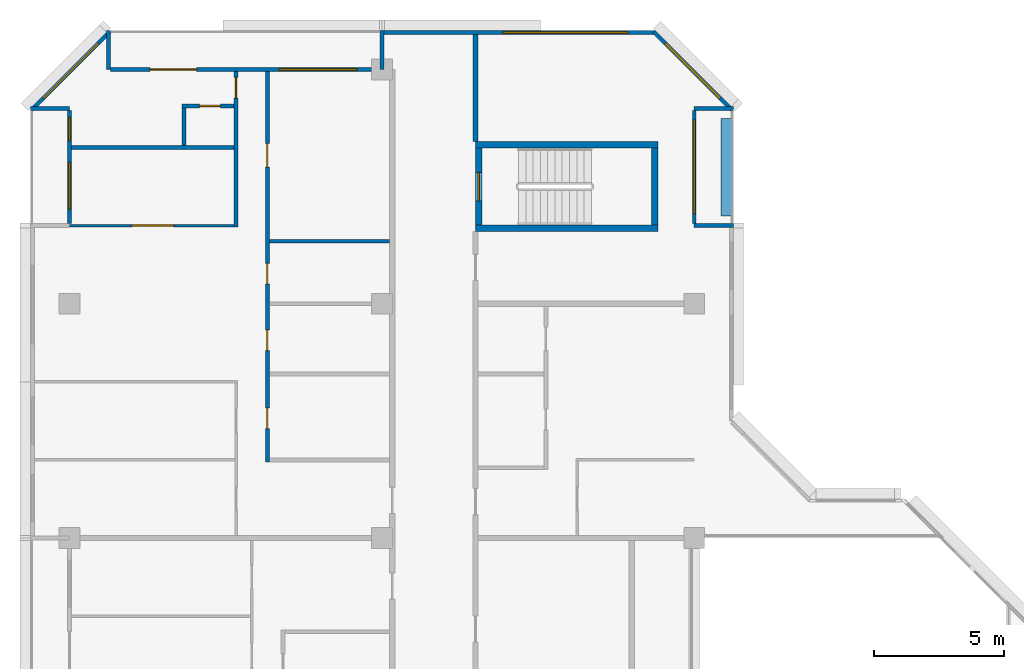
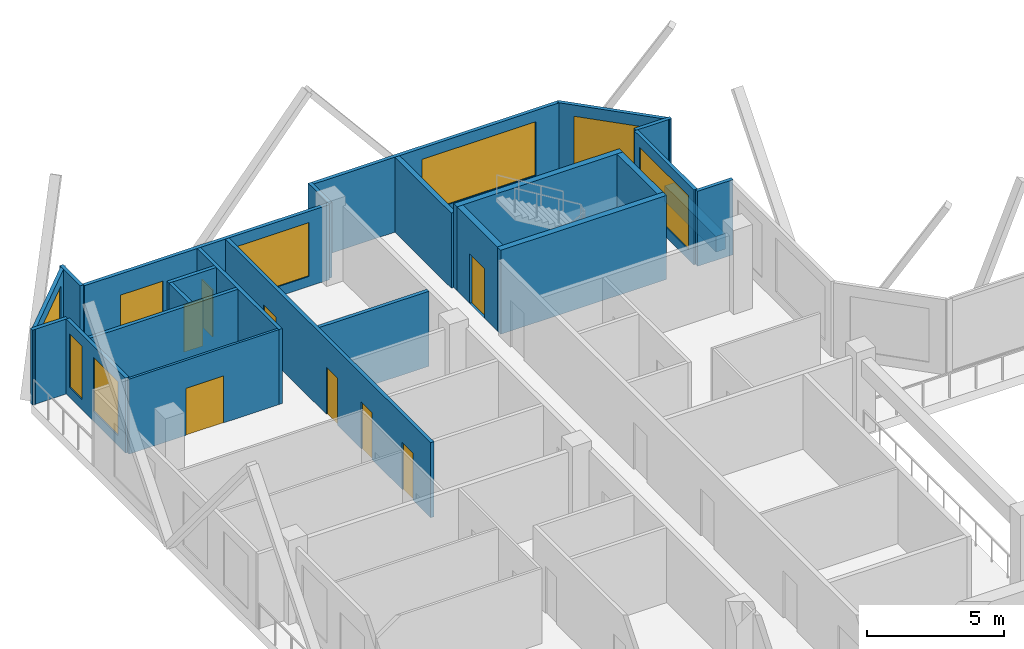
# One storey, part 10 of 13: 24 walls, 9 doors, 7 windows, 16 openings.
"""IFC4 building model written with IfcOpenShell, lengths in metres."""

from ifc_helpers import new_model, si_unit, direction, frame, frame_2d, origin, place, context, subcontext, project, spatial, rectangle, extrude, material, layer, layer_set, type_object, element, fill, save


model = new_model("IFC4")

# Units and contexts
model_context = context("Model", 3, precision=1e-05, world=origin(), true_north=direction((0.0, 1.0)))
body_context = subcontext(model_context, "Body", "Model", "MODEL_VIEW")
ifc_project = project(units=[si_unit("LENGTHUNIT", "METRE"), si_unit("AREAUNIT", "SQUARE_METRE"), si_unit("VOLUMEUNIT", "CUBIC_METRE"), si_unit("PLANEANGLEUNIT", "RADIAN"), si_unit("MASSUNIT", "GRAM", prefix="KILO")], contexts=[model_context])

# Site, building, storey
site_placement = place(None, origin())
site = spatial("IfcSite", under=ifc_project, at=site_placement, CompositionType="ELEMENT")
building_placement = place(site_placement, origin())
building = spatial("IfcBuilding", under=site, at=building_placement, Name="Chenar Terraces", CompositionType="ELEMENT")
storey_placement = place(building_placement, frame((0.0, 0.0, 273.39990234375)))
storey = spatial("IfcBuildingStorey", under=building, at=storey_placement, Name="L63", CompositionType="ELEMENT", Elevation=273.39990234375)

# Walls
ifc_material_1 = material(Name="Concrete C50/60", Category="concrete")
ifc_layer_1 = layer(ifc_material_1, 0.25)
ifc_layer_set_1 = layer_set([ifc_layer_1], Name="Concrete C50/60")
wall_type_1 = type_object("IfcWallType", Name="Core wall 250 Concrete C50/60", PredefinedType="SHEAR", material=ifc_layer_set_1)
for number, where, z_axis, x_axis, name in (
    (1, (15.60009765625, 47.89990234375, 0.0), (0.0, 0.0, 1.0), (1.0, 0.0, 0.0), "Core wall ST4_S L63"),
    (2, (15.60009765625, 51.10009765625, 0.0), (0.0, 0.0, 1.0), (1.0, 0.0, 0.0), "Core wall ST4_N L63"),
):
    element("IfcWall", number, at=place(storey_placement, frame(where, z_axis=z_axis, x_axis=x_axis)), inside=storey, type_object=wall_type_1, Name=name, PredefinedType="SHEAR", context=body_context, shape_type="SweptSolid", body=[
        extrude(rectangle(XDim=7.0, YDim=0.25, at=frame_2d((3.5, 0.0))), origin(), (0.0, 0.0, 1.0), 3.75),
    ])

# Wall, opening, door
wall_1_placement = place(storey_placement, frame((15.72509765625, 48.02490234375, 0.0), z_axis=(0.0, 0.0, 1.0), x_axis=(0.0, 1.0, 0.0)))
wall_1 = element("IfcWall", 3, at=wall_1_placement, inside=storey, type_object=wall_type_1, Name="Core wall ST4_W L63", PredefinedType="SHEAR", context=body_context, shape_type="SweptSolid", body=[
    extrude(rectangle(XDim=2.9501953125, YDim=0.25, at=frame_2d((1.47509765625, 0.0))), origin(), (0.0, 0.0, 1.0), 3.75),
])
opening_1_placement = place(wall_1_placement, frame((0.925048828125, 0.0, 0.0)))
opening_1 = element("IfcOpeningElement", 4, at=opening_1_placement, cuts=wall_1, Name="Opening DL63-C9", PredefinedType="OPENING", context=body_context, shape_type="SweptSolid", body=[
    extrude(rectangle(XDim=1.10009765625, YDim=2.199951171875, at=frame_2d((0.550048828125, 1.10009765625))), frame((0.0, 0.135009765625, 0.0), z_axis=(0.0, -1.0, 0.0), x_axis=(1.0, 0.0, 0.0)), (0.0, 0.0, 1.0), 0.27001953125),
])
ifc_material_2 = material(Name="Steel-framed fire-resisting door leaf", Category="steel")
door_type_1 = type_object("IfcDoorType", Name="Stair fire door FD60 1100 x 2200", OperationType="SINGLE_SWING_LEFT", PredefinedType="DOOR", material=ifc_material_2)
door_1_placement = place(opening_1_placement, frame((1.10009765625, 0.0, 0.0), z_axis=(0.0, 0.0, 1.0), x_axis=(-1.0, 0.0, 0.0)))
door_1 = element("IfcDoor", 5, at=door_1_placement, inside=storey, type_object=door_type_1, Name="Stair door DL63-C9", OperationType="SINGLE_SWING_RIGHT", OverallHeight=2.199951171875, OverallWidth=1.10009765625, PredefinedType="DOOR", context=body_context, shape_type="SweptSolid", body=[
    extrude(rectangle(XDim=1.10009765625, YDim=2.199951171875, at=frame_2d((0.550048828125, 1.10009765625))), frame((0.0, 0.02490234375, 0.0), z_axis=(0.0, -1.0, 0.0), x_axis=(1.0, 0.0, 0.0)), (0.0, 0.0, 1.0), 0.050048828125),
])
fill(opening_1, door_1)

# Walls
wall_2_placement = place(storey_placement, frame((22.47509765625, 48.02490234375, 0.0), z_axis=(0.0, 0.0, 1.0), x_axis=(0.0, 1.0, 0.0)))
element("IfcWall", 6, at=wall_2_placement, inside=storey, type_object=wall_type_1, Name="Core wall ST4_E L63", PredefinedType="SHEAR", context=body_context, shape_type="SweptSolid", body=[
    extrude(rectangle(XDim=2.9501953125, YDim=0.25, at=frame_2d((1.47509765625, 0.0))), origin(), (0.0, 0.0, 1.0), 3.75),
])
ifc_material_3 = material(Name="Gypsum board on steel studs with fire boards", Category="steel")
ifc_layer_2 = layer(ifc_material_3, 0.199951171875)
ifc_layer_set_2 = layer_set([ifc_layer_2], Name="Gypsum board on steel studs with fire boards")
wall_type_2 = type_object("IfcWallType", Name="Corridor wall 200", PredefinedType="PARTITIONING", material=ifc_layer_set_2)
wall_3_placement = place(storey_placement, frame((15.60009765625, 51.22509765625, 0.0), z_axis=(0.0, 0.0, 1.0), x_axis=(0.0, 1.0, 0.0)))
element("IfcWall", 7, at=wall_3_placement, inside=storey, type_object=wall_type_2, Name="Partition L63-031", PredefinedType="PARTITIONING", context=body_context, shape_type="SweptSolid", body=[
    extrude(rectangle(XDim=4.125, YDim=0.199951171875, at=frame_2d((2.0625, 0.0))), origin(), (0.0, 0.0, 1.0), 3.35009765625),
])

# Wall, opening, window
ifc_material_4 = material(Name="Aluminium framed glazing", Category="aluminium")
ifc_layer_3 = layer(ifc_material_4, 0.14990234375)
ifc_layer_set_3 = layer_set([ifc_layer_3], Name="Aluminium framed glazing")
wall_type_3 = type_object("IfcWallType", Name="Glazed flush facade wall 150", PredefinedType="SOLIDWALL", material=ifc_layer_set_3)
wall_4_placement = place(storey_placement, frame((22.5, 55.425048828125, 0.0), z_axis=(0.0, 0.0, 1.0), x_axis=(-1.0, 0.0, 0.0)))
wall_4 = element("IfcWall", 8, at=wall_4_placement, inside=storey, type_object=wall_type_3, Name="Glazed flush facade wall", PredefinedType="SOLIDWALL", context=body_context, shape_type="SweptSolid", body=[
    extrude(rectangle(XDim=10.425048828125, YDim=0.14990234375, at=frame_2d((5.21240234375, 0.0))), origin(), (0.0, 0.0, 1.0), 3.35009765625),
])
opening_2_placement = place(wall_4_placement, frame((1.050048828125, 0.0, 0.449951171875)))
opening_2 = element("IfcOpeningElement", 9, at=opening_2_placement, cuts=wall_4, Name="Opening W480x240", PredefinedType="OPENING", context=body_context, shape_type="SweptSolid", body=[
    extrude(rectangle(XDim=4.800048828125, YDim=2.39990234375, at=frame_2d((2.39990234375, 1.199951171875))), frame((0.0, 0.0849609375, 0.0), z_axis=(0.0, -1.0, 0.0), x_axis=(1.0, 0.0, 0.0)), (0.0, 0.0, 1.0), 0.169921875),
])
ifc_material_5 = material(Name="Low emissivity double glazing, aluminium frame", Category="aluminium")
window_type_1 = type_object("IfcWindowType", Name="Fixed light 4800 x 2400", PartitioningType="SINGLE_PANEL", PredefinedType="WINDOW", material=ifc_material_5)
window_1_placement = place(opening_2_placement, origin())
window_1 = element("IfcWindow", 10, at=window_1_placement, inside=storey, type_object=window_type_1, Name="Window", OverallHeight=2.39990234375, OverallWidth=4.800048828125, PartitioningType="SINGLE_PANEL", PredefinedType="WINDOW", context=body_context, shape_type="SweptSolid", body=[
    extrude(rectangle(XDim=4.800048828125, YDim=2.39990234375, at=frame_2d((2.39990234375, 1.199951171875))), frame((0.0, 0.030029296875, 0.0), z_axis=(0.0, -1.0, 0.0), x_axis=(1.0, 0.0, 0.0)), (0.0, 0.0, 1.0), 0.06005859375),
])
fill(opening_2, window_1)

ifc_material_6 = material(Name="Aluminium framed glazing", Category="aluminium")
ifc_layer_4 = layer(ifc_material_6, 0.14990234375)
ifc_layer_set_4 = layer_set([ifc_layer_4], Name="Aluminium framed glazing")
wall_type_4 = type_object("IfcWallType", Name="Glazed loggia back wall 150", PredefinedType="SOLIDWALL", material=ifc_layer_set_4)
wall_5_placement = place(storey_placement, frame((24.0, 48.074951171875, 0.0), z_axis=(0.0, 0.0, 1.0), x_axis=(0.0, 1.0, 0.0)))
wall_5 = element("IfcWall", 11, at=wall_5_placement, inside=storey, type_object=wall_type_4, Name="Glazed loggia back wall", PredefinedType="SOLIDWALL", context=body_context, shape_type="SweptSolid", body=[
    extrude(rectangle(XDim=4.35009765625, YDim=0.14990234375, at=frame_2d((2.175048828125, 0.0))), origin(), (0.0, 0.0, 1.0), 3.35009765625),
])
opening_3_placement = place(wall_5_placement, frame((0.375, 0.0, 0.449951171875)))
opening_3 = element("IfcOpeningElement", 12, at=opening_3_placement, cuts=wall_5, Name="Opening W360x240", PredefinedType="OPENING", context=body_context, shape_type="SweptSolid", body=[
    extrude(rectangle(XDim=3.60009765625, YDim=2.39990234375, at=frame_2d((1.800048828125, 1.199951171875))), frame((0.0, 0.0849609375, 0.0), z_axis=(0.0, -1.0, 0.0), x_axis=(1.0, 0.0, 0.0)), (0.0, 0.0, 1.0), 0.169921875),
])
ifc_material_7 = material(Name="Low emissivity double glazing, aluminium frame", Category="aluminium")
window_type_2 = type_object("IfcWindowType", Name="Fixed light 3600 x 2400", PartitioningType="SINGLE_PANEL", PredefinedType="WINDOW", material=ifc_material_7)
window_2_placement = place(opening_3_placement, origin())
window_2 = element("IfcWindow", 13, at=window_2_placement, inside=storey, type_object=window_type_2, Name="Window", OverallHeight=2.39990234375, OverallWidth=3.60009765625, PartitioningType="SINGLE_PANEL", PredefinedType="WINDOW", context=body_context, shape_type="SweptSolid", body=[
    extrude(rectangle(XDim=3.60009765625, YDim=2.39990234375, at=frame_2d((1.800048828125, 1.199951171875))), frame((0.0, 0.030029296875, 0.0), z_axis=(0.0, -1.0, 0.0), x_axis=(1.0, 0.0, 0.0)), (0.0, 0.0, 1.0), 0.06005859375),
])
fill(opening_3, window_2)

# Wall, openings, window, door
wall_6_placement = place(storey_placement, frame((11.925048828125, 54.0, 0.0), z_axis=(0.0, 0.0, 1.0), x_axis=(-1.0, 0.0, 0.0)))
wall_6 = element("IfcWall", 14, at=wall_6_placement, inside=storey, type_object=wall_type_4, Name="Glazed loggia back wall", PredefinedType="SOLIDWALL", context=body_context, shape_type="SweptSolid", body=[
    extrude(rectangle(XDim=10.35009765625, YDim=0.14990234375, at=frame_2d((5.175048828125, 0.0))), origin(), (0.0, 0.0, 1.0), 3.35009765625),
])
opening_4_placement = place(wall_6_placement, frame((0.875, 0.0, 0.449951171875)))
opening_4 = element("IfcOpeningElement", 15, at=opening_4_placement, cuts=wall_6, Name="Opening W300x240", PredefinedType="OPENING", context=body_context, shape_type="SweptSolid", body=[
    extrude(rectangle(XDim=3.0, YDim=2.39990234375, at=frame_2d((1.5, 1.199951171875))), frame((0.0, 0.0849609375, 0.0), z_axis=(0.0, -1.0, 0.0), x_axis=(1.0, 0.0, 0.0)), (0.0, 0.0, 1.0), 0.169921875),
])
opening_5_placement = place(wall_6_placement, frame((7.03759765625, 0.0, 0.0)))
opening_5 = element("IfcOpeningElement", 16, at=opening_5_placement, cuts=wall_6, Name="Opening DL63-G2", PredefinedType="OPENING", context=body_context, shape_type="SweptSolid", body=[
    extrude(rectangle(XDim=1.800048828125, YDim=2.39990234375, at=frame_2d((0.89990234375, 1.199951171875))), frame((0.0, 0.0849609375, 0.0), z_axis=(0.0, -1.0, 0.0), x_axis=(1.0, 0.0, 0.0)), (0.0, 0.0, 1.0), 0.169921875),
])
ifc_material_8 = material(Name="Low emissivity double glazing, aluminium frame", Category="aluminium")
window_type_3 = type_object("IfcWindowType", Name="Fixed light 3000 x 2400", PartitioningType="SINGLE_PANEL", PredefinedType="WINDOW", material=ifc_material_8)
window_3_placement = place(opening_4_placement, origin())
window_3 = element("IfcWindow", 17, at=window_3_placement, inside=storey, type_object=window_type_3, Name="Window", OverallHeight=2.39990234375, OverallWidth=3.0, PartitioningType="SINGLE_PANEL", PredefinedType="WINDOW", context=body_context, shape_type="SweptSolid", body=[
    extrude(rectangle(XDim=3.0, YDim=2.39990234375, at=frame_2d((1.5, 1.199951171875))), frame((0.0, 0.030029296875, 0.0), z_axis=(0.0, -1.0, 0.0), x_axis=(1.0, 0.0, 0.0)), (0.0, 0.0, 1.0), 0.06005859375),
])
fill(opening_4, window_3)
ifc_material_9 = material(Name="Low emissivity double glazing, aluminium frame", Category="aluminium")
door_type_2 = type_object("IfcDoorType", Name="Loggia glazed double door 1800 x 2400", OperationType="DOUBLE_DOOR_SINGLE_SWING", PredefinedType="DOOR", material=ifc_material_9)
door_2_placement = place(opening_5_placement, frame((1.800048828125, 0.0, 0.0), z_axis=(0.0, 0.0, 1.0), x_axis=(-1.0, 0.0, 0.0)))
door_2 = element("IfcDoor", 18, at=door_2_placement, inside=storey, type_object=door_type_2, Name="Loggia glazed door", OperationType="DOUBLE_DOOR_SINGLE_SWING", OverallHeight=2.39990234375, OverallWidth=1.800048828125, PredefinedType="DOOR", context=body_context, shape_type="SweptSolid", body=[
    extrude(rectangle(XDim=1.800048828125, YDim=2.39990234375, at=frame_2d((0.89990234375, 1.199951171875))), frame((0.0, 0.02490234375, 0.0), z_axis=(0.0, -1.0, 0.0), x_axis=(1.0, 0.0, 0.0)), (0.0, 0.0, 1.0), 0.050048828125),
])
fill(opening_5, door_2)

# Wall, openings, windows
wall_7_placement = place(storey_placement, frame((0.0, 52.425048828125, 0.0), z_axis=(0.0, 0.0, 1.0), x_axis=(0.0, -1.0, 0.0)))
wall_7 = element("IfcWall", 19, at=wall_7_placement, inside=storey, type_object=wall_type_4, Name="Glazed loggia back wall", PredefinedType="SOLIDWALL", context=body_context, shape_type="SweptSolid", body=[
    extrude(rectangle(XDim=4.35009765625, YDim=0.14990234375, at=frame_2d((2.175048828125, 0.0))), origin(), (0.0, 0.0, 1.0), 3.35009765625),
])
opening_6_placement = place(wall_7_placement, frame((0.262451171875, 0.0, 0.449951171875)))
opening_6 = element("IfcOpeningElement", 20, at=opening_6_placement, cuts=wall_7, Name="Opening W90x240", PredefinedType="OPENING", context=body_context, shape_type="SweptSolid", body=[
    extrude(rectangle(XDim=0.89990234375, YDim=2.39990234375, at=frame_2d((0.449951171875, 1.199951171875))), frame((0.0, 0.0849609375, 0.0), z_axis=(0.0, -1.0, 0.0), x_axis=(1.0, 0.0, 0.0)), (0.0, 0.0, 1.0), 0.169921875),
])
opening_7_placement = place(wall_7_placement, frame((1.987548828125, 0.0, 0.449951171875)))
opening_7 = element("IfcOpeningElement", 21, at=opening_7_placement, cuts=wall_7, Name="Opening W180x240", PredefinedType="OPENING", context=body_context, shape_type="SweptSolid", body=[
    extrude(rectangle(XDim=1.800048828125, YDim=2.39990234375, at=frame_2d((0.89990234375, 1.199951171875))), frame((0.0, 0.0849609375, 0.0), z_axis=(0.0, -1.0, 0.0), x_axis=(1.0, 0.0, 0.0)), (0.0, 0.0, 1.0), 0.169921875),
])
ifc_material_10 = material(Name="Low emissivity double glazing, aluminium frame", Category="aluminium")
window_type_4 = type_object("IfcWindowType", Name="Fixed light 1800 x 2400", PartitioningType="SINGLE_PANEL", PredefinedType="WINDOW", material=ifc_material_10)
window_4_placement = place(opening_7_placement, origin())
window_4 = element("IfcWindow", 22, at=window_4_placement, inside=storey, type_object=window_type_4, Name="Window", OverallHeight=2.39990234375, OverallWidth=1.800048828125, PartitioningType="SINGLE_PANEL", PredefinedType="WINDOW", context=body_context, shape_type="SweptSolid", body=[
    extrude(rectangle(XDim=1.800048828125, YDim=2.39990234375, at=frame_2d((0.89990234375, 1.199951171875))), frame((0.0, 0.030029296875, 0.0), z_axis=(0.0, -1.0, 0.0), x_axis=(1.0, 0.0, 0.0)), (0.0, 0.0, 1.0), 0.06005859375),
])
fill(opening_7, window_4)
ifc_material_11 = material(Name="Low emissivity double glazing, aluminium frame", Category="aluminium")
window_type_5 = type_object("IfcWindowType", Name="Fixed light 900 x 2400", PartitioningType="SINGLE_PANEL", PredefinedType="WINDOW", material=ifc_material_11)
window_5_placement = place(opening_6_placement, origin())
window_5 = element("IfcWindow", 23, at=window_5_placement, inside=storey, type_object=window_type_5, Name="Window", OverallHeight=2.39990234375, OverallWidth=0.89990234375, PartitioningType="SINGLE_PANEL", PredefinedType="WINDOW", context=body_context, shape_type="SweptSolid", body=[
    extrude(rectangle(XDim=0.89990234375, YDim=2.39990234375, at=frame_2d((0.449951171875, 1.199951171875))), frame((0.0, 0.030029296875, 0.0), z_axis=(0.0, -1.0, 0.0), x_axis=(1.0, 0.0, 0.0)), (0.0, 0.0, 1.0), 0.06005859375),
])
fill(opening_6, window_5)

# Wall, opening, door
ifc_material_12 = material(Name="Gypsum board on steel studs", Category="steel")
ifc_layer_5 = layer(ifc_material_12, 0.10009765625)
ifc_layer_set_5 = layer_set([ifc_layer_5], Name="Gypsum board on steel studs")
wall_type_5 = type_object("IfcWallType", Name="Gypsum partition 100", PredefinedType="PARTITIONING", material=ifc_layer_set_5)
wall_8_placement = place(storey_placement, frame((0.0, 48.0, 0.0), z_axis=(0.0, 0.0, 1.0), x_axis=(1.0, 0.0, 0.0)))
wall_8 = element("IfcWall", 24, at=wall_8_placement, inside=storey, type_object=wall_type_5, Name="Partition L63-006", PredefinedType="PARTITIONING", context=body_context, shape_type="SweptSolid", body=[
    extrude(rectangle(XDim=6.324951171875, YDim=0.10009765625, at=frame_2d((3.16259765625, 0.0))), origin(), (0.0, 0.0, 1.0), 3.35009765625),
])
opening_8_placement = place(wall_8_placement, frame((2.39990234375, 0.0, 0.0)))
opening_8 = element("IfcOpeningElement", 25, at=opening_8_placement, cuts=wall_8, Name="Opening DL63-26", PredefinedType="OPENING", context=body_context, shape_type="SweptSolid", body=[
    extrude(rectangle(XDim=1.60009765625, YDim=2.10009765625, at=frame_2d((0.800048828125, 1.050048828125))), frame((0.0, 0.06005859375, 0.0), z_axis=(0.0, -1.0, 0.0), x_axis=(1.0, 0.0, 0.0)), (0.0, 0.0, 1.0), 0.1201171875),
])
ifc_material_13 = material(Name="Veneered timber door leaf", Category="wood")
door_type_3 = type_object("IfcDoorType", Name="Double door 1600 x 2100", OperationType="DOUBLE_DOOR_SINGLE_SWING", PredefinedType="DOOR", material=ifc_material_13)
door_3_placement = place(opening_8_placement, origin())
door_3 = element("IfcDoor", 26, at=door_3_placement, inside=storey, type_object=door_type_3, Name="Door DL63-26", OperationType="DOUBLE_DOOR_SINGLE_SWING", OverallHeight=2.10009765625, OverallWidth=1.60009765625, PredefinedType="DOOR", context=body_context, shape_type="SweptSolid", body=[
    extrude(rectangle(XDim=1.60009765625, YDim=2.10009765625, at=frame_2d((0.800048828125, 1.050048828125))), frame((0.0, 0.02490234375, 0.0), z_axis=(0.0, -1.0, 0.0), x_axis=(1.0, 0.0, 0.0)), (0.0, 0.0, 1.0), 0.050048828125),
])
fill(opening_8, door_3)

# Walls
ifc_material_14 = material(Name="Terracotta cladding on insulated backing", Category="masonry")
ifc_layer_6 = layer(ifc_material_14, 0.14990234375)
ifc_layer_set_6 = layer_set([ifc_layer_6], Name="Terracotta cladding on insulated backing")
wall_type_6 = type_object("IfcWallType", Name="Loggia return wall 150", PredefinedType="SOLIDWALL", material=ifc_layer_set_6)
for number, where, z_axis, x_axis, name in (
    (27, (25.5, 48.0, 0.0), (0.0, 0.0, 1.0), (-1.0, 0.0, 0.0), "Loggia return wall"),
    (28, (25.5, 52.5, 0.0), (0.0, 0.0, 1.0), (-1.0, 0.0, 0.0), "Loggia return wall"),
    (29, (12.0, 55.5, 0.0), (0.0, 0.0, 1.0), (0.0, -1.0, 0.0), "Loggia return wall"),
    (30, (1.5, 55.5, 0.0), (0.0, 0.0, 1.0), (0.0, -1.0, 0.0), "Loggia return wall"),
    (31, (-1.5, 52.5, 0.0), (0.0, 0.0, 1.0), (1.0, 0.0, 0.0), "Loggia return wall"),
):
    element("IfcWall", number, at=place(storey_placement, frame(where, z_axis=z_axis, x_axis=x_axis)), inside=storey, type_object=wall_type_6, Name=name, PredefinedType="SOLIDWALL", context=body_context, shape_type="SweptSolid", body=[
        extrude(rectangle(XDim=1.5, YDim=0.14990234375, at=frame_2d((0.75, 0.0))), origin(), (0.0, 0.0, 1.0), 3.35009765625),
    ])

# Wall, opening, window
ifc_material_15 = material(Name="Terracotta cladding on insulated backing", Category="masonry")
ifc_layer_7 = layer(ifc_material_15, 0.14990234375)
ifc_layer_set_7 = layer_set([ifc_layer_7], Name="Terracotta cladding on insulated backing")
wall_type_7 = type_object("IfcWallType", Name="Terracotta rainscreen wall 150", PredefinedType="SOLIDWALL", material=ifc_layer_set_7)
wall_9_placement = place(storey_placement, frame((25.447021484375, 52.447021484375, 0.0), z_axis=(0.0, 0.0, 1.0), x_axis=(-0.707106781187, 0.707106781187, 0.0)))
wall_9 = element("IfcWall", 32, at=wall_9_placement, inside=storey, type_object=wall_type_7, Name="Terracotta rainscreen wall", PredefinedType="SOLIDWALL", context=body_context, shape_type="SweptSolid", body=[
    extrude(rectangle(XDim=4.24267578125, YDim=0.14990234375, at=frame_2d((2.121337890625, 0.0))), origin(), (0.0, 0.0, 1.0), 3.35009765625),
])
opening_9_placement = place(wall_9_placement, frame((0.621337890625, 0.0, 0.449951171875)))
opening_9 = element("IfcOpeningElement", 33, at=opening_9_placement, cuts=wall_9, Name="Opening W300x240", PredefinedType="OPENING", context=body_context, shape_type="SweptSolid", body=[
    extrude(rectangle(XDim=3.0, YDim=2.39990234375, at=frame_2d((1.5, 1.199951171875))), frame((0.0, 0.0849609375, 0.0), z_axis=(0.0, -1.0, 0.0), x_axis=(1.0, 0.0, 0.0)), (0.0, 0.0, 1.0), 0.169921875),
])
window_6_placement = place(opening_9_placement, origin())
window_6 = element("IfcWindow", 34, at=window_6_placement, inside=storey, type_object=window_type_3, Name="Window", OverallHeight=2.39990234375, OverallWidth=3.0, PartitioningType="SINGLE_PANEL", PredefinedType="WINDOW", context=body_context, shape_type="SweptSolid", body=[
    extrude(rectangle(XDim=3.0, YDim=2.39990234375, at=frame_2d((1.5, 1.199951171875))), frame((0.0, 0.030029296875, 0.0), z_axis=(0.0, -1.0, 0.0), x_axis=(1.0, 0.0, 0.0)), (0.0, 0.0, 1.0), 0.06005859375),
])
fill(opening_9, window_6)

wall_10_placement = place(storey_placement, frame((1.552978515625, 55.447021484375, 0.0), z_axis=(0.0, 0.0, 1.0), x_axis=(-0.707106781187, -0.707106781187, 0.0)))
wall_10 = element("IfcWall", 35, at=wall_10_placement, inside=storey, type_object=wall_type_7, Name="Terracotta rainscreen wall", PredefinedType="SOLIDWALL", context=body_context, shape_type="SweptSolid", body=[
    extrude(rectangle(XDim=4.24267578125, YDim=0.14990234375, at=frame_2d((2.121337890625, 0.0))), origin(), (0.0, 0.0, 1.0), 3.35009765625),
])
opening_10_placement = place(wall_10_placement, frame((0.621337890625, 0.0, 0.449951171875)))
opening_10 = element("IfcOpeningElement", 36, at=opening_10_placement, cuts=wall_10, Name="Opening W300x240", PredefinedType="OPENING", context=body_context, shape_type="SweptSolid", body=[
    extrude(rectangle(XDim=3.0, YDim=2.39990234375, at=frame_2d((1.5, 1.199951171875))), frame((0.0, 0.0849609375, 0.0), z_axis=(0.0, -1.0, 0.0), x_axis=(1.0, 0.0, 0.0)), (0.0, 0.0, 1.0), 0.169921875),
])
window_7_placement = place(opening_10_placement, origin())
window_7 = element("IfcWindow", 37, at=window_7_placement, inside=storey, type_object=window_type_3, Name="Window", OverallHeight=2.39990234375, OverallWidth=3.0, PartitioningType="SINGLE_PANEL", PredefinedType="WINDOW", context=body_context, shape_type="SweptSolid", body=[
    extrude(rectangle(XDim=3.0, YDim=2.39990234375, at=frame_2d((1.5, 1.199951171875))), frame((0.0, 0.030029296875, 0.0), z_axis=(0.0, -1.0, 0.0), x_axis=(1.0, 0.0, 0.0)), (0.0, 0.0, 1.0), 0.06005859375),
])
fill(opening_10, window_7)

# Walls
ifc_material_16 = material(Name="GRP planter trough")
ifc_layer_8 = layer(ifc_material_16, 0.39990234375)
ifc_layer_set_8 = layer_set([ifc_layer_8], Name="GRP planter trough")
wall_type_8 = type_object("IfcWallType", Name="Vertical greenery planter 400", PredefinedType="SOLIDWALL", material=ifc_layer_set_8)
wall_11_placement = place(storey_placement, frame((25.22900390625, 48.375, 0.0), z_axis=(0.0, 0.0, 1.0), x_axis=(0.0, 1.0, 0.0)))
element("IfcWall", 38, at=wall_11_placement, inside=storey, type_object=wall_type_8, Name="Vertical greenery planter", PredefinedType="SOLIDWALL", context=body_context, shape_type="SweptSolid", body=[
    extrude(rectangle(XDim=3.75, YDim=0.39990234375, at=frame_2d((1.875, 0.0))), origin(), (0.0, 0.0, 1.0), 0.7001953125),
])
ifc_material_17 = material(Name="Moisture-resistant gypsum board on steel studs", Category="steel")
ifc_layer_9 = layer(ifc_material_17, 0.14990234375)
ifc_layer_set_9 = layer_set([ifc_layer_9], Name="Moisture-resistant gypsum board on steel studs")
wall_type_9 = type_object("IfcWallType", Name="Wet-room partition 150", PredefinedType="PARTITIONING", material=ifc_layer_set_9)
wall_12_placement = place(storey_placement, frame((0.073974609375, 51.0, 0.0), z_axis=(0.0, 0.0, 1.0), x_axis=(1.0, 0.0, 0.0)))
element("IfcWall", 39, at=wall_12_placement, inside=storey, type_object=wall_type_9, Name="Partition L63-009", PredefinedType="PARTITIONING", context=body_context, shape_type="SweptSolid", body=[
    extrude(rectangle(XDim=6.2509765625, YDim=0.14990234375, at=frame_2d((3.12548828125, 0.0))), origin(), (0.0, 0.0, 1.0), 3.35009765625),
])

# Wall, opening, door
wall_13_placement = place(storey_placement, frame((4.324951171875, 52.60009765625, 0.0), z_axis=(0.0, 0.0, 1.0), x_axis=(1.0, 0.0, 0.0)))
wall_13 = element("IfcWall", 40, at=wall_13_placement, inside=storey, type_object=wall_type_9, Name="Partition L63-011", PredefinedType="PARTITIONING", context=body_context, shape_type="SweptSolid", body=[
    extrude(rectangle(XDim=2.0, YDim=0.14990234375, at=frame_2d((1.0, 0.0))), origin(), (0.0, 0.0, 1.0), 3.35009765625),
])
opening_11_placement = place(wall_13_placement, frame((0.675048828125, 0.0, 0.0)))
opening_11 = element("IfcOpeningElement", 41, at=opening_11_placement, cuts=wall_13, Name="Opening DL63-25", PredefinedType="OPENING", context=body_context, shape_type="SweptSolid", body=[
    extrude(rectangle(XDim=0.800048828125, YDim=2.10009765625, at=frame_2d((0.39990234375, 1.050048828125))), frame((0.0, 0.0849609375, 0.0), z_axis=(0.0, -1.0, 0.0), x_axis=(1.0, 0.0, 0.0)), (0.0, 0.0, 1.0), 0.169921875),
])
ifc_material_18 = material(Name="Veneered timber door leaf", Category="wood")
door_type_4 = type_object("IfcDoorType", Name="Door 800 x 2100", OperationType="SINGLE_SWING_LEFT", PredefinedType="DOOR", material=ifc_material_18)
door_4_placement = place(opening_11_placement, frame((0.800048828125, 0.0, 0.0), z_axis=(0.0, 0.0, 1.0), x_axis=(-1.0, 0.0, 0.0)))
door_4 = element("IfcDoor", 42, at=door_4_placement, inside=storey, type_object=door_type_4, Name="Door DL63-25", OperationType="SINGLE_SWING_RIGHT", OverallHeight=2.10009765625, OverallWidth=0.800048828125, PredefinedType="DOOR", context=body_context, shape_type="SweptSolid", body=[
    extrude(rectangle(XDim=0.800048828125, YDim=2.10009765625, at=frame_2d((0.39990234375, 1.050048828125))), frame((0.0, 0.02490234375, 0.0), z_axis=(0.0, -1.0, 0.0), x_axis=(1.0, 0.0, 0.0)), (0.0, 0.0, 1.0), 0.050048828125),
])
fill(opening_11, door_4)

# Wall
wall_14_placement = place(storey_placement, frame((4.39990234375, 51.074951171875, 0.0), z_axis=(0.0, 0.0, 1.0), x_axis=(0.0, 1.0, 0.0)))
element("IfcWall", 43, at=wall_14_placement, inside=storey, type_object=wall_type_9, Name="Partition L63-012", PredefinedType="PARTITIONING", context=body_context, shape_type="SweptSolid", body=[
    extrude(rectangle(XDim=1.449951171875, YDim=0.14990234375, at=frame_2d((0.72509765625, 0.0))), origin(), (0.0, 0.0, 1.0), 3.35009765625),
])

# Wall, opening, door
wall_15_placement = place(storey_placement, frame((6.39990234375, 47.949951171875, 0.0), z_axis=(0.0, 0.0, 1.0), x_axis=(0.0, 1.0, 0.0)))
wall_15 = element("IfcWall", 44, at=wall_15_placement, inside=storey, type_object=wall_type_9, Name="Partition L63-014", PredefinedType="PARTITIONING", context=body_context, shape_type="SweptSolid", body=[
    extrude(rectangle(XDim=5.97607421875, YDim=0.14990234375, at=frame_2d((2.988037109375, 0.0))), origin(), (0.0, 0.0, 1.0), 3.35009765625),
])
opening_12_placement = place(wall_15_placement, frame((4.949951171875, 0.0, 0.0)))
opening_12 = element("IfcOpeningElement", 45, at=opening_12_placement, cuts=wall_15, Name="Opening DL63-24", PredefinedType="OPENING", context=body_context, shape_type="SweptSolid", body=[
    extrude(rectangle(XDim=0.800048828125, YDim=2.10009765625, at=frame_2d((0.39990234375, 1.050048828125))), frame((0.0, 0.0849609375, 0.0), z_axis=(0.0, -1.0, 0.0), x_axis=(1.0, 0.0, 0.0)), (0.0, 0.0, 1.0), 0.169921875),
])
door_5_placement = place(opening_12_placement, origin())
door_5 = element("IfcDoor", 46, at=door_5_placement, inside=storey, type_object=door_type_4, Name="Door DL63-24", OperationType="SINGLE_SWING_RIGHT", OverallHeight=2.10009765625, OverallWidth=0.800048828125, PredefinedType="DOOR", context=body_context, shape_type="SweptSolid", body=[
    extrude(rectangle(XDim=0.800048828125, YDim=2.10009765625, at=frame_2d((0.39990234375, 1.050048828125))), frame((0.0, 0.02490234375, 0.0), z_axis=(0.0, -1.0, 0.0), x_axis=(1.0, 0.0, 0.0)), (0.0, 0.0, 1.0), 0.050048828125),
])
fill(opening_12, door_5)

# Wall, openings, doors
wall_16_placement = place(storey_placement, frame((7.60009765625, 38.925048828125, 0.0), z_axis=(0.0, 0.0, 1.0), x_axis=(0.0, 1.0, 0.0)))
wall_16 = element("IfcWall", 47, at=wall_16_placement, inside=storey, type_object=wall_type_9, Name="Partition L63-016", PredefinedType="PARTITIONING", context=body_context, shape_type="SweptSolid", body=[
    extrude(rectangle(XDim=15.0009765625, YDim=0.14990234375, at=frame_2d((7.50048828125, 0.0))), origin(), (0.0, 0.0, 1.0), 3.35009765625),
])
opening_13_placement = place(wall_16_placement, frame((6.824951171875, 0.0, 0.0)))
opening_13 = element("IfcOpeningElement", 48, at=opening_13_placement, cuts=wall_16, Name="Opening DL63-19", PredefinedType="OPENING", context=body_context, shape_type="SweptSolid", body=[
    extrude(rectangle(XDim=0.800048828125, YDim=2.10009765625, at=frame_2d((0.39990234375, 1.050048828125))), frame((0.0, 0.0849609375, 0.0), z_axis=(0.0, -1.0, 0.0), x_axis=(1.0, 0.0, 0.0)), (0.0, 0.0, 1.0), 0.169921875),
])
opening_14_placement = place(wall_16_placement, frame((11.324951171875, 0.0, 0.0)))
opening_14 = element("IfcOpeningElement", 49, at=opening_14_placement, cuts=wall_16, Name="Opening DL63-22", PredefinedType="OPENING", context=body_context, shape_type="SweptSolid", body=[
    extrude(rectangle(XDim=0.89990234375, YDim=2.10009765625, at=frame_2d((0.449951171875, 1.050048828125))), frame((0.0, 0.0849609375, 0.0), z_axis=(0.0, -1.0, 0.0), x_axis=(1.0, 0.0, 0.0)), (0.0, 0.0, 1.0), 0.169921875),
])
opening_15_placement = place(wall_16_placement, frame((1.27490234375, 0.0, 0.0)))
opening_15 = element("IfcOpeningElement", 50, at=opening_15_placement, cuts=wall_16, Name="Opening DL63-27", PredefinedType="OPENING", context=body_context, shape_type="SweptSolid", body=[
    extrude(rectangle(XDim=0.800048828125, YDim=2.10009765625, at=frame_2d((0.39990234375, 1.050048828125))), frame((0.0, 0.0849609375, 0.0), z_axis=(0.0, -1.0, 0.0), x_axis=(1.0, 0.0, 0.0)), (0.0, 0.0, 1.0), 0.169921875),
])
opening_16_placement = place(wall_16_placement, frame((4.27490234375, 0.0, 0.0)))
opening_16 = element("IfcOpeningElement", 51, at=opening_16_placement, cuts=wall_16, Name="Opening DL63-28", PredefinedType="OPENING", context=body_context, shape_type="SweptSolid", body=[
    extrude(rectangle(XDim=0.800048828125, YDim=2.10009765625, at=frame_2d((0.39990234375, 1.050048828125))), frame((0.0, 0.0849609375, 0.0), z_axis=(0.0, -1.0, 0.0), x_axis=(1.0, 0.0, 0.0)), (0.0, 0.0, 1.0), 0.169921875),
])
door_6_placement = place(opening_13_placement, frame((0.800048828125, 0.0, 0.0), z_axis=(0.0, 0.0, 1.0), x_axis=(-1.0, 0.0, 0.0)))
door_6 = element("IfcDoor", 52, at=door_6_placement, inside=storey, type_object=door_type_4, Name="Door DL63-19", OperationType="SINGLE_SWING_RIGHT", OverallHeight=2.10009765625, OverallWidth=0.800048828125, PredefinedType="DOOR", context=body_context, shape_type="SweptSolid", body=[
    extrude(rectangle(XDim=0.800048828125, YDim=2.10009765625, at=frame_2d((0.39990234375, 1.050048828125))), frame((0.0, 0.02490234375, 0.0), z_axis=(0.0, -1.0, 0.0), x_axis=(1.0, 0.0, 0.0)), (0.0, 0.0, 1.0), 0.050048828125),
])
fill(opening_13, door_6)
door_7_placement = place(opening_15_placement, frame((0.800048828125, 0.0, 0.0), z_axis=(0.0, 0.0, 1.0), x_axis=(-1.0, 0.0, 0.0)))
door_7 = element("IfcDoor", 53, at=door_7_placement, inside=storey, type_object=door_type_4, Name="Door DL63-27", OperationType="SINGLE_SWING_RIGHT", OverallHeight=2.10009765625, OverallWidth=0.800048828125, PredefinedType="DOOR", context=body_context, shape_type="SweptSolid", body=[
    extrude(rectangle(XDim=0.800048828125, YDim=2.10009765625, at=frame_2d((0.39990234375, 1.050048828125))), frame((0.0, 0.02490234375, 0.0), z_axis=(0.0, -1.0, 0.0), x_axis=(1.0, 0.0, 0.0)), (0.0, 0.0, 1.0), 0.050048828125),
])
fill(opening_15, door_7)
door_8_placement = place(opening_16_placement, frame((0.800048828125, 0.0, 0.0), z_axis=(0.0, 0.0, 1.0), x_axis=(-1.0, 0.0, 0.0)))
door_8 = element("IfcDoor", 54, at=door_8_placement, inside=storey, type_object=door_type_4, Name="Door DL63-28", OperationType="SINGLE_SWING_RIGHT", OverallHeight=2.10009765625, OverallWidth=0.800048828125, PredefinedType="DOOR", context=body_context, shape_type="SweptSolid", body=[
    extrude(rectangle(XDim=0.800048828125, YDim=2.10009765625, at=frame_2d((0.39990234375, 1.050048828125))), frame((0.0, 0.02490234375, 0.0), z_axis=(0.0, -1.0, 0.0), x_axis=(1.0, 0.0, 0.0)), (0.0, 0.0, 1.0), 0.050048828125),
])
fill(opening_16, door_8)
ifc_material_19 = material(Name="Veneered timber door leaf", Category="wood")
door_type_5 = type_object("IfcDoorType", Name="Door 900 x 2100", OperationType="SINGLE_SWING_LEFT", PredefinedType="DOOR", material=ifc_material_19)
door_9_placement = place(opening_14_placement, frame((0.89990234375, 0.0, 0.0), z_axis=(0.0, 0.0, 1.0), x_axis=(-1.0, 0.0, 0.0)))
door_9 = element("IfcDoor", 55, at=door_9_placement, inside=storey, type_object=door_type_5, Name="Door DL63-22", OperationType="SINGLE_SWING_RIGHT", OverallHeight=2.10009765625, OverallWidth=0.89990234375, PredefinedType="DOOR", context=body_context, shape_type="SweptSolid", body=[
    extrude(rectangle(XDim=0.89990234375, YDim=2.10009765625, at=frame_2d((0.449951171875, 1.050048828125))), frame((0.0, 0.02490234375, 0.0), z_axis=(0.0, -1.0, 0.0), x_axis=(1.0, 0.0, 0.0)), (0.0, 0.0, 1.0), 0.050048828125),
])
fill(opening_14, door_9)

# Wall
wall_17_placement = place(storey_placement, frame((7.675048828125, 47.39990234375, 0.0), z_axis=(0.0, 0.0, 1.0), x_axis=(1.0, 0.0, 0.0)))
element("IfcWall", 56, at=wall_17_placement, inside=storey, type_object=wall_type_9, Name="Partition L63-020", PredefinedType="PARTITIONING", context=body_context, shape_type="SweptSolid", body=[
    extrude(rectangle(XDim=4.625, YDim=0.14990234375, at=frame_2d((2.3125, 0.0))), origin(), (0.0, 0.0, 1.0), 3.35009765625),
])

save(model, "model.ifc")
